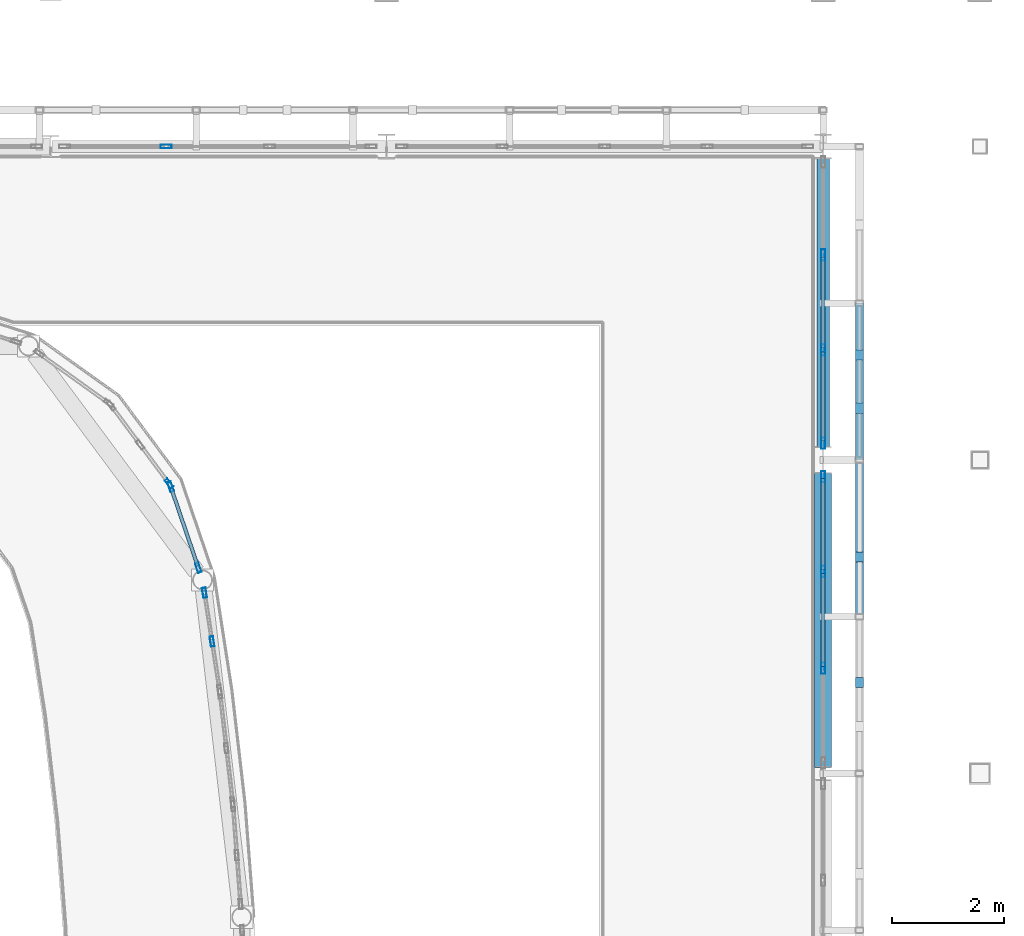
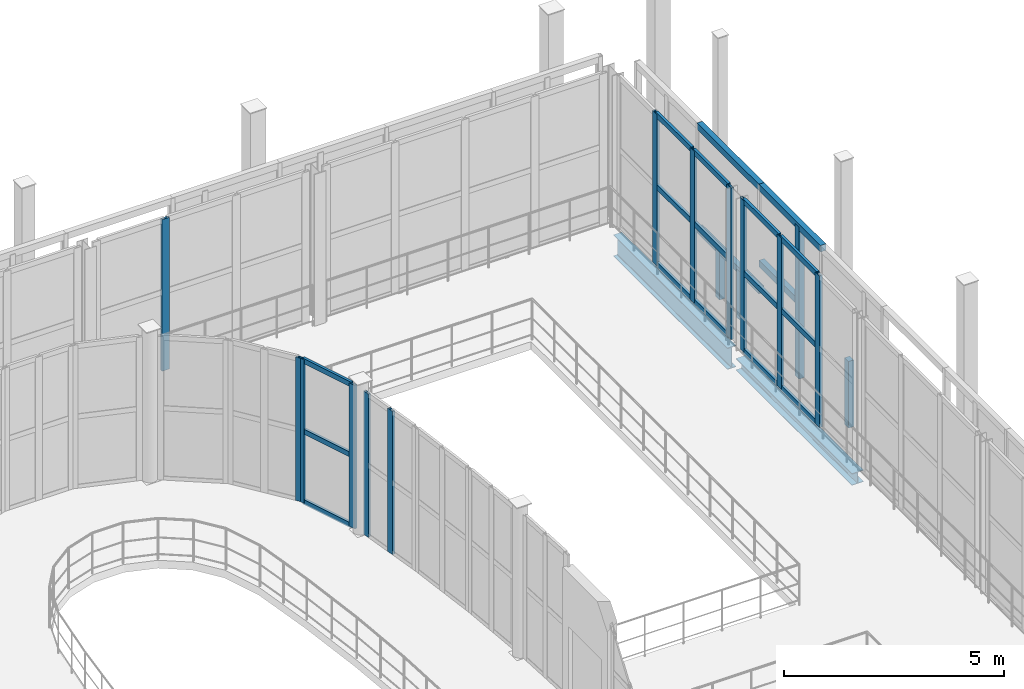
# One storey, part 47 of 138: 35 members, 2 beams, 6 elements without a shape of their own.
"""IFC4 building model written with IfcOpenShell, lengths in metres."""

from ifc_helpers import new_model, si_unit, direction, frame, origin, origin_2d, place, context, subcontext, project, spatial, rectangle, hollow_rectangle, i_section, extrude, material, layer, layer_set, material_profile, profile_set, type_object, element, aggregate, save


model = new_model("IFC4")

# Units and contexts
model_context = context("Model", 3, precision=1e-05, world=origin(), true_north=direction((0.0, 1.0)))
body_context = subcontext(model_context, "Body", "Model", "MODEL_VIEW")
ifc_project = project(units=[si_unit("LENGTHUNIT", "METRE"), si_unit("AREAUNIT", "SQUARE_METRE"), si_unit("VOLUMEUNIT", "CUBIC_METRE"), si_unit("PLANEANGLEUNIT", "RADIAN"), si_unit("MASSUNIT", "GRAM", prefix="KILO")], contexts=[model_context])

# Site, building, storey
site_placement = place(None, origin())
site = spatial("IfcSite", under=ifc_project, at=site_placement, CompositionType="ELEMENT")
building_placement = place(site_placement, origin())
building = spatial("IfcBuilding", under=site, at=building_placement, Name="Vinh Khe Railworks Police Headquarters", CompositionType="ELEMENT")
storey_placement = place(building_placement, frame((0.0, 0.0, 9.0)))
storey = spatial("IfcBuildingStorey", under=building, at=storey_placement, Name="L02", CompositionType="ELEMENT", Elevation=9.0)

# Members
ifc_material_1 = material(Name="Salvaged ironwood timber", Category="wood")
ifc_material_profile_1 = material_profile(ifc_material_1, rectangle(XDim=0.139892578125, YDim=0.179931640625, at=origin_2d()), Name="TIMBER 140x180")
ifc_profile_set_1 = profile_set([ifc_material_profile_1], Name="Salvaged ironwood timber")
member_type_1 = type_object("IfcMemberType", Name="MEM-QUILT-STILE", PredefinedType="CHORD", material=ifc_profile_set_1)
member_1_placement = place(storey_placement, frame((60.64990234375, 49.22412109375, -0.080078125), z_axis=(0.0, 0.0, 1.0), x_axis=(1.0, 0.0, 0.0)))
element("IfcMember", 1, at=member_1_placement, inside=storey, type_object=member_type_1, Name="Salvaged Timber Quilt Stile E-L02-08-V1", PredefinedType="POST", context=body_context, shape_type="SweptSolid", body=[
    extrude(rectangle(XDim=0.139892578125, YDim=0.179931640625, at=origin_2d()), origin(), (0.0, 0.0, 1.0), 1.843994140625),
])
member_2_placement = place(storey_placement, frame((60.64990234375, 50.39990234375, 4.1201171875), z_axis=(0.0, 1.0, 0.0), x_axis=(-1.0, 0.0, 0.0)))
element("IfcMember", 2, at=member_2_placement, inside=storey, type_object=member_type_1, Name="Salvaged Timber Quilt Transom E-L02-09-TOP", PredefinedType="CHORD", context=body_context, shape_type="SweptSolid", body=[
    extrude(rectangle(XDim=0.139892578125, YDim=0.179931640625, at=origin_2d()), origin(), (0.0, 0.0, 1.0), 2.800048828125),
])
member_3_placement = place(storey_placement, frame((60.64990234375, 51.464111328125, -0.080078125), z_axis=(0.0, 0.0, 1.0), x_axis=(1.0, 0.0, 0.0)))
element("IfcMember", 3, at=member_3_placement, inside=storey, type_object=member_type_1, Name="Salvaged Timber Quilt Stile E-L02-09-V1", PredefinedType="POST", context=body_context, shape_type="SweptSolid", body=[
    extrude(rectangle(XDim=0.139892578125, YDim=0.179931640625, at=origin_2d()), origin(), (0.0, 0.0, 1.0), 4.2001953125),
])
member_4_placement = place(storey_placement, frame((60.64990234375, 51.464111328125, 2.01611328125), z_axis=(0.0, 1.0, 0.0), x_axis=(-1.0, 0.0, 0.0)))
element("IfcMember", 4, at=member_4_placement, inside=storey, type_object=member_type_1, Name="Salvaged Timber Quilt Transom E-L02-09-M1", PredefinedType="CHORD", context=body_context, shape_type="SweptSolid", body=[
    extrude(rectangle(XDim=0.139892578125, YDim=0.179931640625, at=origin_2d()), origin(), (0.0, 0.0, 1.0), 1.73583984375),
])
for number, where, z_axis, x_axis, name in (
    (5, (60.64990234375, 53.199951171875, 4.1201171875), (0.0, 1.0, 0.0), (-1.0, 0.0, 0.0), "Salvaged Timber Quilt Transom E-L02-10-TOP"),
    (6, (60.64990234375, 53.199951171875, 1.260009765625), (0.0, 1.0, 0.0), (-1.0, 0.0, 0.0), "Salvaged Timber Quilt Transom E-L02-10-M1"),
):
    element("IfcMember", number, at=place(storey_placement, frame(where, z_axis=z_axis, x_axis=x_axis)), inside=storey, type_object=member_type_1, Name=name, PredefinedType="CHORD", context=body_context, shape_type="SweptSolid", body=[
        extrude(rectangle(XDim=0.139892578125, YDim=0.179931640625, at=origin_2d()), origin(), (0.0, 0.0, 1.0), 2.800048828125),
    ])
for number, where, z_axis, x_axis, name in (
    (7, (60.64990234375, 54.1240234375, -0.080078125), (0.0, 0.0, 1.0), (1.0, 0.0, 0.0), "Salvaged Timber Quilt Stile E-L02-10-V1"),
    (8, (60.64990234375, 55.075927734375, -0.080078125), (0.0, 0.0, 1.0), (1.0, 0.0, 0.0), "Salvaged Timber Quilt Stile E-L02-10-V2"),
):
    element("IfcMember", number, at=place(storey_placement, frame(where, z_axis=z_axis, x_axis=x_axis)), inside=storey, type_object=member_type_1, Name=name, PredefinedType="POST", context=body_context, shape_type="SweptSolid", body=[
        extrude(rectangle(XDim=0.139892578125, YDim=0.179931640625, at=origin_2d()), origin(), (0.0, 0.0, 1.0), 1.340087890625),
    ])

# Curtain wall, members
ifc_material_2 = material(Name="Anodised aluminium and acoustic laminated glass", Category="aluminium")
ifc_layer_1 = layer(ifc_material_2, 0.159912109375)
ifc_layer_set_1 = layer_set([ifc_layer_1], Name="Anodised aluminium and acoustic laminated glass")
curtain_wall_type_1 = type_object("IfcCurtainWallType", Name="CW-DRUM-CHORD", PredefinedType="USERDEFINED", material=ifc_layer_set_1)
curtain_wall_1_placement = place(storey_placement, origin())
curtain_wall_1 = element("IfcCurtainWall", 9, at=curtain_wall_1_placement, inside=storey, type_object=curtain_wall_type_1, Name="Elliptical Command Drum Glazing L02 Chord 9", ObjectType="DRUM FACADE GLAZING", PredefinedType="USERDEFINED")
ifc_material_3 = material(Name="Anodised aluminium 6063-T6", Category="aluminium")
ifc_material_profile_2 = material_profile(ifc_material_3, hollow_rectangle(XDim=0.06494140625, YDim=0.179931640625, WallThickness=0.0048828125, at=origin_2d()), Name="CW-M 65x180x5")
ifc_profile_set_2 = profile_set([ifc_material_profile_2], Name="Anodised aluminium 6063-T6")
member_type_2 = type_object("IfcMemberType", Name="MULL-CWM-02", PredefinedType="MULLION", material=ifc_profile_set_2)
member_5_placement = place(storey_placement, frame((49.08349609375, 49.958984375, 0.0), z_axis=(0.0, 0.0, 1.0), x_axis=(-0.988150166575, -0.153490222159, 0.0)))
member_5 = element("IfcMember", 10, at=member_5_placement, type_object=member_type_2, Name="CW-02 mullion 2", PredefinedType="MULLION", context=body_context, shape_type="SweptSolid", body=[
    extrude(hollow_rectangle(XDim=0.06494140625, YDim=0.179931640625, WallThickness=0.0048828125, at=origin_2d()), origin(), (0.0, 0.0, 1.0), 3.969970703125),
])
member_6_placement = place(storey_placement, frame((48.948486328125, 50.828369140625, 0.0), z_axis=(0.0, 0.0, 1.0), x_axis=(-0.988150166575, -0.153490222159, 0.0)))
member_6 = element("IfcMember", 11, at=member_6_placement, type_object=member_type_2, Name="CW-02 mullion 3", PredefinedType="MULLION", context=body_context, shape_type="SweptSolid", body=[
    extrude(hollow_rectangle(XDim=0.06494140625, YDim=0.179931640625, WallThickness=0.0048828125, at=origin_2d()), origin(), (0.0, 0.0, 1.0), 3.969970703125),
])
aggregate(curtain_wall_1, [member_5, member_6])

curtain_wall_2_placement = place(storey_placement, origin())
curtain_wall_2 = element("IfcCurtainWall", 12, at=curtain_wall_2_placement, inside=storey, type_object=curtain_wall_type_1, Name="Elliptical Command Drum Glazing L02 Chord 10", ObjectType="DRUM FACADE GLAZING", PredefinedType="USERDEFINED")
member_7_placement = place(storey_placement, frame((48.838623046875, 51.27392578125, 0.0), z_axis=(0.0, 0.0, 1.0), x_axis=(-0.946485571054, -0.322746129004, 0.0)))
member_7 = element("IfcMember", 13, at=member_7_placement, type_object=member_type_2, Name="CW-02 mullion 1", PredefinedType="MULLION", context=body_context, shape_type="SweptSolid", body=[
    extrude(hollow_rectangle(XDim=0.06494140625, YDim=0.179931640625, WallThickness=0.0048828125, at=origin_2d()), origin(), (0.0, 0.0, 1.0), 3.969970703125),
])
member_8_placement = place(storey_placement, frame((48.344482421875, 52.72314453125, 0.0), z_axis=(0.0, 0.0, 1.0), x_axis=(-0.946485571054, -0.322746129004, 0.0)))
member_8 = element("IfcMember", 14, at=member_8_placement, type_object=member_type_2, Name="CW-02 mullion 2", PredefinedType="MULLION", context=body_context, shape_type="SweptSolid", body=[
    extrude(hollow_rectangle(XDim=0.06494140625, YDim=0.179931640625, WallThickness=0.0048828125, at=origin_2d()), origin(), (0.0, 0.0, 1.0), 3.969970703125),
])

# Curtain wall, member
curtain_wall_3_placement = place(storey_placement, origin())
curtain_wall_3 = element("IfcCurtainWall", 15, at=curtain_wall_3_placement, inside=storey, type_object=curtain_wall_type_1, Name="Elliptical Command Drum Glazing L02 Chord 11", ObjectType="DRUM FACADE GLAZING", PredefinedType="USERDEFINED")
member_9_placement = place(storey_placement, frame((48.314697265625, 52.77978515625, 0.0), z_axis=(0.0, 0.0, 1.0), x_axis=(-0.802591949394, -0.596528425784, 0.0)))
member_9 = element("IfcMember", 16, at=member_9_placement, type_object=member_type_2, Name="CW-02 mullion 1", PredefinedType="MULLION", context=body_context, shape_type="SweptSolid", body=[
    extrude(hollow_rectangle(XDim=0.06494140625, YDim=0.179931640625, WallThickness=0.0048828125, at=origin_2d()), origin(), (0.0, 0.0, 1.0), 3.969970703125),
])
aggregate(curtain_wall_3, [member_9])

ifc_material_4 = material(Name="Anodised aluminium and low-iron glass", Category="aluminium")
ifc_layer_2 = layer(ifc_material_4, 0.179931640625)
ifc_layer_set_2 = layer_set([ifc_layer_2], Name="Anodised aluminium and low-iron glass")
curtain_wall_type_2 = type_object("IfcCurtainWallType", Name="CW-CUBE-UNIT", PredefinedType="USERDEFINED", material=ifc_layer_set_2)
curtain_wall_4_placement = place(storey_placement, origin())
curtain_wall_4 = element("IfcCurtainWall", 17, at=curtain_wall_4_placement, inside=storey, type_object=curtain_wall_type_2, Name="Entrance Hall Curtain Wall L02 N-4", ObjectType="UNITISED GLAZING", PredefinedType="USERDEFINED")
ifc_material_profile_3 = material_profile(ifc_material_3, hollow_rectangle(XDim=0.070068359375, YDim=0.199951171875, WallThickness=0.0048828125, at=origin_2d()), Name="CW-M 70x200x5")
ifc_profile_set_3 = profile_set([ifc_material_profile_3], Name="Anodised aluminium 6063-T6")
member_type_3 = type_object("IfcMemberType", Name="MULL-CWM-03", PredefinedType="MULLION", material=ifc_profile_set_3)
member_10_placement = place(storey_placement, frame((48.263427734375, 58.800048828125, 0.0), z_axis=(0.0, 0.0, 1.0), x_axis=(0.0, 1.0, 0.0)))
member_10 = element("IfcMember", 18, at=member_10_placement, type_object=member_type_3, Name="CW-01 mullion 2", PredefinedType="MULLION", context=body_context, shape_type="SweptSolid", body=[
    extrude(hollow_rectangle(XDim=0.070068359375, YDim=0.199951171875, WallThickness=0.0048828125, at=origin_2d()), origin(), (0.0, 0.0, 1.0), 4.199951171875),
])
aggregate(curtain_wall_4, [member_10])

# Curtain wall, members
curtain_wall_5_placement = place(storey_placement, origin())
curtain_wall_5 = element("IfcCurtainWall", 19, at=curtain_wall_5_placement, inside=storey, type_object=curtain_wall_type_2, Name="Entrance Hall Curtain Wall L02 E-5", ObjectType="UNITISED GLAZING", PredefinedType="USERDEFINED")
member_11_placement = place(storey_placement, frame((60.0, 49.478271484375, 0.0), z_axis=(0.0, 0.0, 1.0), x_axis=(-1.0, 0.0, 0.0)))
member_11 = element("IfcMember", 20, at=member_11_placement, type_object=member_type_3, Name="CW-01 mullion 2", PredefinedType="MULLION", context=body_context, shape_type="SweptSolid", body=[
    extrude(hollow_rectangle(XDim=0.070068359375, YDim=0.199951171875, WallThickness=0.0048828125, at=origin_2d()), origin(), (0.0, 0.0, 1.0), 4.199951171875),
])
member_12_placement = place(storey_placement, frame((60.0, 51.206787109375, 0.0), z_axis=(0.0, 0.0, 1.0), x_axis=(-1.0, 0.0, 0.0)))
member_12 = element("IfcMember", 21, at=member_12_placement, type_object=member_type_3, Name="CW-01 mullion 3", PredefinedType="MULLION", context=body_context, shape_type="SweptSolid", body=[
    extrude(hollow_rectangle(XDim=0.070068359375, YDim=0.199951171875, WallThickness=0.0048828125, at=origin_2d()), origin(), (0.0, 0.0, 1.0), 4.199951171875),
])
member_13_placement = place(storey_placement, frame((60.0, 52.89990234375, 0.0), z_axis=(0.0, 0.0, 1.0), x_axis=(-1.0, 0.0, 0.0)))
member_13 = element("IfcMember", 22, at=member_13_placement, type_object=member_type_3, Name="CW-01 mullion 4", PredefinedType="MULLION", context=body_context, shape_type="SweptSolid", body=[
    extrude(hollow_rectangle(XDim=0.070068359375, YDim=0.199951171875, WallThickness=0.0048828125, at=origin_2d()), origin(), (0.0, 0.0, 1.0), 4.199951171875),
])

curtain_wall_6_placement = place(storey_placement, origin())
curtain_wall_6 = element("IfcCurtainWall", 23, at=curtain_wall_6_placement, inside=storey, type_object=curtain_wall_type_2, Name="Entrance Hall Curtain Wall L02 E-6", ObjectType="UNITISED GLAZING", PredefinedType="USERDEFINED")
member_14_placement = place(storey_placement, frame((60.0, 53.5, 0.0), z_axis=(0.0, 0.0, 1.0), x_axis=(-1.0, 0.0, 0.0)))
member_14 = element("IfcMember", 24, at=member_14_placement, type_object=member_type_3, Name="CW-01 mullion 1", PredefinedType="MULLION", context=body_context, shape_type="SweptSolid", body=[
    extrude(hollow_rectangle(XDim=0.070068359375, YDim=0.199951171875, WallThickness=0.0048828125, at=origin_2d()), origin(), (0.0, 0.0, 1.0), 4.199951171875),
])
member_15_placement = place(storey_placement, frame((60.0, 55.163330078125, 0.0), z_axis=(0.0, 0.0, 1.0), x_axis=(-1.0, 0.0, 0.0)))
member_15 = element("IfcMember", 25, at=member_15_placement, type_object=member_type_3, Name="CW-01 mullion 2", PredefinedType="MULLION", context=body_context, shape_type="SweptSolid", body=[
    extrude(hollow_rectangle(XDim=0.070068359375, YDim=0.199951171875, WallThickness=0.0048828125, at=origin_2d()), origin(), (0.0, 0.0, 1.0), 4.199951171875),
])
member_16_placement = place(storey_placement, frame((60.0, 56.861572265625, 0.0), z_axis=(0.0, 0.0, 1.0), x_axis=(-1.0, 0.0, 0.0)))
member_16 = element("IfcMember", 26, at=member_16_placement, type_object=member_type_3, Name="CW-01 mullion 3", PredefinedType="MULLION", context=body_context, shape_type="SweptSolid", body=[
    extrude(hollow_rectangle(XDim=0.070068359375, YDim=0.199951171875, WallThickness=0.0048828125, at=origin_2d()), origin(), (0.0, 0.0, 1.0), 4.199951171875),
])

# Beams
ifc_material_5 = material(Name="Steel S355JR", Category="steel")
ifc_material_profile_4 = material_profile(ifc_material_5, i_section(OverallWidth=0.300048828125, OverallDepth=0.330078125, WebThickness=0.009521484375, FlangeThickness=0.0166015625, FilletRadius=0.027099609375, at=origin_2d()), Name="HEA 340")
ifc_profile_set_4 = profile_set([ifc_material_profile_4], Name="Steel S355JR")
beam_type_1 = type_object("IfcBeamType", Name="Steel Girder HEA 340", PredefinedType="BEAM", material=ifc_profile_set_4)
beam_1_placement = place(storey_placement, frame((60.0, 47.7099609375, -0.385009765625), z_axis=(0.0, 1.0, 0.0), x_axis=(-1.0, 0.0, 0.0)))
element("IfcBeam", 27, at=beam_1_placement, inside=storey, type_object=beam_type_1, Name="Girder BM-L02-NS-SB-16-0968", PredefinedType="BEAM", context=body_context, shape_type="SweptSolid", body=[
    extrude(i_section(OverallWidth=0.300048828125, OverallDepth=0.330078125, WebThickness=0.009521484375, FlangeThickness=0.0166015625, FilletRadius=0.027099609375, at=origin_2d()), origin(), (0.0, 0.0, 1.0), 5.26513671875),
])
ifc_material_profile_5 = material_profile(ifc_material_5, i_section(OverallWidth=0.219970703125, OverallDepth=0.60009765625, WebThickness=0.011962890625, FlangeThickness=0.01904296875, FilletRadius=0.02392578125, at=origin_2d()), Name="IPE 600")
ifc_profile_set_5 = profile_set([ifc_material_profile_5], Name="Steel S355JR")
beam_type_2 = type_object("IfcBeamType", Name="Steel Girder IPE 600", PredefinedType="BEAM", material=ifc_profile_set_5)
beam_2_placement = place(storey_placement, frame((60.0, 53.425048828125, -0.52001953125), z_axis=(0.0, 1.0, 0.0), x_axis=(-1.0, 0.0, 0.0)))
element("IfcBeam", 28, at=beam_2_placement, inside=storey, type_object=beam_type_2, Name="Girder BM-L02-NS-SB-17-0969", PredefinedType="BEAM", context=body_context, shape_type="SweptSolid", body=[
    extrude(i_section(OverallWidth=0.219970703125, OverallDepth=0.60009765625, WebThickness=0.011962890625, FlangeThickness=0.01904296875, FilletRadius=0.02392578125, at=origin_2d()), origin(), (0.0, 0.0, 1.0), 5.175048828125),
])

# Member
ifc_material_profile_6 = material_profile(ifc_material_3, hollow_rectangle(XDim=0.06494140625, YDim=0.139892578125, WallThickness=0.00390625, at=origin_2d()), Name="CW-T 65x140x4")
ifc_profile_set_6 = profile_set([ifc_material_profile_6], Name="Anodised aluminium 6063-T6")
member_type_4 = type_object("IfcMemberType", Name="TRAN-CWT-02", PredefinedType="USERDEFINED", material=ifc_profile_set_6)
member_17_placement = place(storey_placement, frame((48.828125, 51.3046875, 0.032470703125), z_axis=(-0.322714613398, 0.946496317108, 0.0), x_axis=(-0.946496317108, -0.322714613398, 0.0)))
member_17 = element("IfcMember", 29, at=member_17_placement, type_object=member_type_4, Name="CW-02 transom 1.1", ObjectType="TRANSOM", PredefinedType="USERDEFINED", context=body_context, shape_type="SweptSolid", body=[
    extrude(hollow_rectangle(XDim=0.06494140625, YDim=0.139892578125, WallThickness=0.00390625, at=origin_2d()), origin(), (0.0, 0.0, 1.0), 1.466064453125),
])

member_18_placement = place(storey_placement, frame((48.828125, 51.3046875, 1.985107421875), z_axis=(-0.322714613398, 0.946496317108, 0.0), x_axis=(-0.946496317108, -0.322714613398, 0.0)))
member_18 = element("IfcMember", 30, at=member_18_placement, type_object=member_type_4, Name="CW-02 transom 1.2", ObjectType="TRANSOM", PredefinedType="USERDEFINED", context=body_context, shape_type="SweptSolid", body=[
    extrude(hollow_rectangle(XDim=0.06494140625, YDim=0.139892578125, WallThickness=0.00390625, at=origin_2d()), origin(), (0.0, 0.0, 1.0), 1.466064453125),
])

member_19_placement = place(storey_placement, frame((48.828125, 51.3046875, 3.9375), z_axis=(-0.322714613398, 0.946496317108, 0.0), x_axis=(-0.946496317108, -0.322714613398, 0.0)))
member_19 = element("IfcMember", 31, at=member_19_placement, type_object=member_type_4, Name="CW-02 transom 1.3", ObjectType="TRANSOM", PredefinedType="USERDEFINED", context=body_context, shape_type="SweptSolid", body=[
    extrude(hollow_rectangle(XDim=0.06494140625, YDim=0.139892578125, WallThickness=0.00390625, at=origin_2d()), origin(), (0.0, 0.0, 1.0), 1.466064453125),
])

aggregate(curtain_wall_2, [member_7, member_8, member_17, member_18, member_19])

ifc_material_profile_7 = material_profile(ifc_material_3, hollow_rectangle(XDim=0.070068359375, YDim=0.14990234375, WallThickness=0.0048828125, at=origin_2d()), Name="CW-T 70x150x5")
ifc_profile_set_7 = profile_set([ifc_material_profile_7], Name="Anodised aluminium 6063-T6")
member_type_5 = type_object("IfcMemberType", Name="TRAN-CWT-03", PredefinedType="USERDEFINED", material=ifc_profile_set_7)
member_20_placement = place(storey_placement, frame((60.0, 49.513427734375, 0.034912109375), z_axis=(0.0, 1.0, 0.0), x_axis=(-1.0, 0.0, 0.0)))
member_20 = element("IfcMember", 32, at=member_20_placement, type_object=member_type_5, Name="CW-01 transom 2.1", ObjectType="TRANSOM", PredefinedType="USERDEFINED", context=body_context, shape_type="SweptSolid", body=[
    extrude(hollow_rectangle(XDim=0.070068359375, YDim=0.14990234375, WallThickness=0.0048828125, at=origin_2d()), origin(), (0.0, 0.0, 1.0), 1.658203125),
])

member_21_placement = place(storey_placement, frame((60.0, 49.513427734375, 2.18408203125), z_axis=(0.0, 1.0, 0.0), x_axis=(-1.0, 0.0, 0.0)))
member_21 = element("IfcMember", 33, at=member_21_placement, type_object=member_type_5, Name="CW-01 transom 2.2", ObjectType="TRANSOM", PredefinedType="USERDEFINED", context=body_context, shape_type="SweptSolid", body=[
    extrude(hollow_rectangle(XDim=0.070068359375, YDim=0.14990234375, WallThickness=0.0048828125, at=origin_2d()), origin(), (0.0, 0.0, 1.0), 1.658203125),
])

member_22_placement = place(storey_placement, frame((60.0, 49.513427734375, 4.1650390625), z_axis=(0.0, 1.0, 0.0), x_axis=(-1.0, 0.0, 0.0)))
member_22 = element("IfcMember", 34, at=member_22_placement, type_object=member_type_5, Name="CW-01 transom 2.3", ObjectType="TRANSOM", PredefinedType="USERDEFINED", context=body_context, shape_type="SweptSolid", body=[
    extrude(hollow_rectangle(XDim=0.070068359375, YDim=0.14990234375, WallThickness=0.0048828125, at=origin_2d()), origin(), (0.0, 0.0, 1.0), 1.658203125),
])

member_23_placement = place(storey_placement, frame((60.0, 51.24169921875, 0.034912109375), z_axis=(0.0, 1.0, 0.0), x_axis=(-1.0, 0.0, 0.0)))
member_23 = element("IfcMember", 35, at=member_23_placement, type_object=member_type_5, Name="CW-01 transom 3.1", ObjectType="TRANSOM", PredefinedType="USERDEFINED", context=body_context, shape_type="SweptSolid", body=[
    extrude(hollow_rectangle(XDim=0.070068359375, YDim=0.14990234375, WallThickness=0.0048828125, at=origin_2d()), origin(), (0.0, 0.0, 1.0), 1.623291015625),
])

member_24_placement = place(storey_placement, frame((60.0, 51.24169921875, 2.18408203125), z_axis=(0.0, 1.0, 0.0), x_axis=(-1.0, 0.0, 0.0)))
member_24 = element("IfcMember", 36, at=member_24_placement, type_object=member_type_5, Name="CW-01 transom 3.2", ObjectType="TRANSOM", PredefinedType="USERDEFINED", context=body_context, shape_type="SweptSolid", body=[
    extrude(hollow_rectangle(XDim=0.070068359375, YDim=0.14990234375, WallThickness=0.0048828125, at=origin_2d()), origin(), (0.0, 0.0, 1.0), 1.623291015625),
])

member_25_placement = place(storey_placement, frame((60.0, 51.24169921875, 4.1650390625), z_axis=(0.0, 1.0, 0.0), x_axis=(-1.0, 0.0, 0.0)))
member_25 = element("IfcMember", 37, at=member_25_placement, type_object=member_type_5, Name="CW-01 transom 3.3", ObjectType="TRANSOM", PredefinedType="USERDEFINED", context=body_context, shape_type="SweptSolid", body=[
    extrude(hollow_rectangle(XDim=0.070068359375, YDim=0.14990234375, WallThickness=0.0048828125, at=origin_2d()), origin(), (0.0, 0.0, 1.0), 1.623291015625),
])

aggregate(curtain_wall_5, [member_11, member_12, member_13, member_20, member_21, member_22, member_23, member_24, member_25])

member_26_placement = place(storey_placement, frame((60.0, 53.534912109375, 0.034912109375), z_axis=(0.0, 1.0, 0.0), x_axis=(-1.0, 0.0, 0.0)))
member_26 = element("IfcMember", 38, at=member_26_placement, type_object=member_type_5, Name="CW-01 transom 1.1", ObjectType="TRANSOM", PredefinedType="USERDEFINED", context=body_context, shape_type="SweptSolid", body=[
    extrude(hollow_rectangle(XDim=0.070068359375, YDim=0.14990234375, WallThickness=0.0048828125, at=origin_2d()), origin(), (0.0, 0.0, 1.0), 1.593505859375),
])

member_27_placement = place(storey_placement, frame((60.0, 53.534912109375, 2.18408203125), z_axis=(0.0, 1.0, 0.0), x_axis=(-1.0, 0.0, 0.0)))
member_27 = element("IfcMember", 39, at=member_27_placement, type_object=member_type_5, Name="CW-01 transom 1.2", ObjectType="TRANSOM", PredefinedType="USERDEFINED", context=body_context, shape_type="SweptSolid", body=[
    extrude(hollow_rectangle(XDim=0.070068359375, YDim=0.14990234375, WallThickness=0.0048828125, at=origin_2d()), origin(), (0.0, 0.0, 1.0), 1.593505859375),
])

member_28_placement = place(storey_placement, frame((60.0, 53.534912109375, 4.1650390625), z_axis=(0.0, 1.0, 0.0), x_axis=(-1.0, 0.0, 0.0)))
member_28 = element("IfcMember", 40, at=member_28_placement, type_object=member_type_5, Name="CW-01 transom 1.3", ObjectType="TRANSOM", PredefinedType="USERDEFINED", context=body_context, shape_type="SweptSolid", body=[
    extrude(hollow_rectangle(XDim=0.070068359375, YDim=0.14990234375, WallThickness=0.0048828125, at=origin_2d()), origin(), (0.0, 0.0, 1.0), 1.593505859375),
])

member_29_placement = place(storey_placement, frame((60.0, 55.1982421875, 0.034912109375), z_axis=(0.0, 1.0, 0.0), x_axis=(-1.0, 0.0, 0.0)))
member_29 = element("IfcMember", 41, at=member_29_placement, type_object=member_type_5, Name="CW-01 transom 2.1", ObjectType="TRANSOM", PredefinedType="USERDEFINED", context=body_context, shape_type="SweptSolid", body=[
    extrude(hollow_rectangle(XDim=0.070068359375, YDim=0.14990234375, WallThickness=0.0048828125, at=origin_2d()), origin(), (0.0, 0.0, 1.0), 1.62841796875),
])

member_30_placement = place(storey_placement, frame((60.0, 55.1982421875, 2.18408203125), z_axis=(0.0, 1.0, 0.0), x_axis=(-1.0, 0.0, 0.0)))
member_30 = element("IfcMember", 42, at=member_30_placement, type_object=member_type_5, Name="CW-01 transom 2.2", ObjectType="TRANSOM", PredefinedType="USERDEFINED", context=body_context, shape_type="SweptSolid", body=[
    extrude(hollow_rectangle(XDim=0.070068359375, YDim=0.14990234375, WallThickness=0.0048828125, at=origin_2d()), origin(), (0.0, 0.0, 1.0), 1.62841796875),
])

member_31_placement = place(storey_placement, frame((60.0, 55.1982421875, 4.1650390625), z_axis=(0.0, 1.0, 0.0), x_axis=(-1.0, 0.0, 0.0)))
member_31 = element("IfcMember", 43, at=member_31_placement, type_object=member_type_5, Name="CW-01 transom 2.3", ObjectType="TRANSOM", PredefinedType="USERDEFINED", context=body_context, shape_type="SweptSolid", body=[
    extrude(hollow_rectangle(XDim=0.070068359375, YDim=0.14990234375, WallThickness=0.0048828125, at=origin_2d()), origin(), (0.0, 0.0, 1.0), 1.62841796875),
])

aggregate(curtain_wall_6, [member_14, member_15, member_16, member_26, member_27, member_28, member_29, member_30, member_31])

save(model, "model.ifc")
